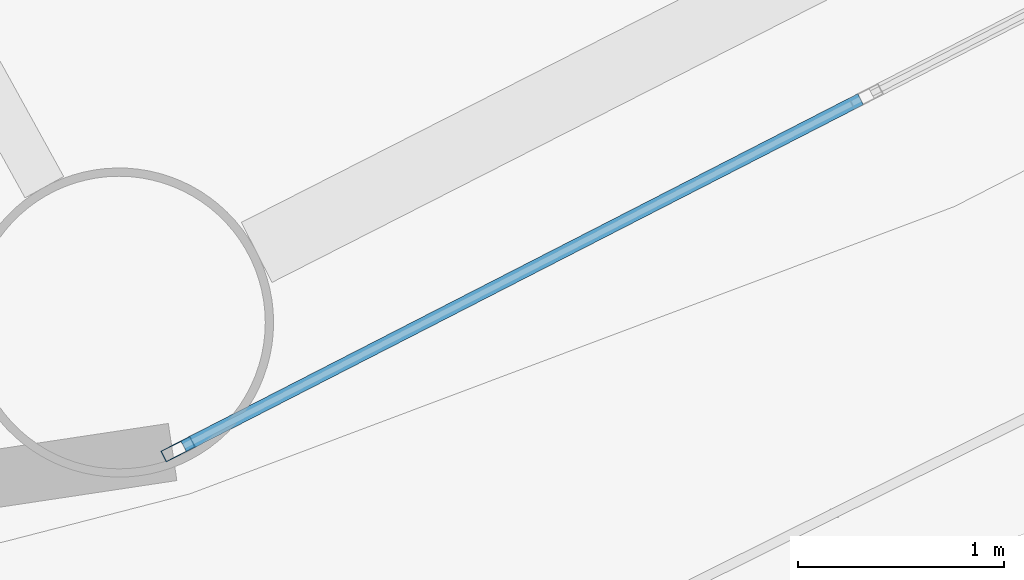
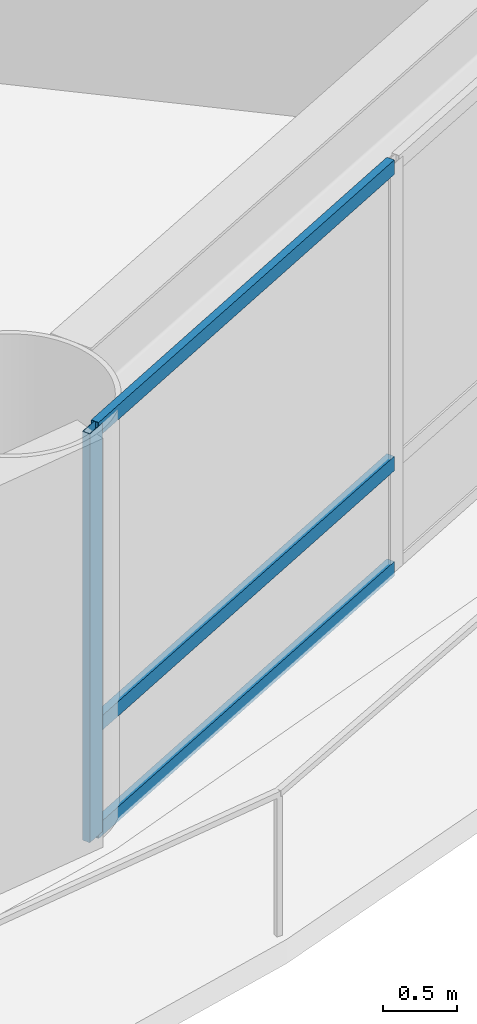
# One storey, part 6 of 26: 4 members, 1 element without a shape of its own.
"""IFC4 building model written with IfcOpenShell, lengths in metres."""

from ifc_helpers import new_model, si_unit, direction, frame, origin, origin_2d, place, context, subcontext, project, spatial, hollow_rectangle, extrude, material, layer, layer_set, material_profile, profile_set, type_object, element, aggregate, save


model = new_model("IFC4")

# Units and contexts
model_context = context("Model", 3, precision=1e-05, world=origin(), true_north=direction((0.0, 1.0)))
body_context = subcontext(model_context, "Body", "Model", "MODEL_VIEW")
ifc_project = project(units=[si_unit("LENGTHUNIT", "METRE"), si_unit("AREAUNIT", "SQUARE_METRE"), si_unit("VOLUMEUNIT", "CUBIC_METRE"), si_unit("PLANEANGLEUNIT", "RADIAN"), si_unit("MASSUNIT", "GRAM", prefix="KILO")], contexts=[model_context])

# Site, building, storey
site_placement = place(None, origin())
site = spatial("IfcSite", under=ifc_project, at=site_placement, CompositionType="ELEMENT")
building_placement = place(site_placement, origin())
building = spatial("IfcBuilding", under=site, at=building_placement, Name="Sarneth Arch Tower", CompositionType="ELEMENT")
storey_placement = place(building_placement, frame((0.0, 0.0, 71.39990234375)))
storey = spatial("IfcBuildingStorey", under=building, at=storey_placement, Name="L17", CompositionType="ELEMENT", Elevation=71.39990234375)

# Curtain wall, members
ifc_material_1 = material(Name="Anodised aluminium Type AA25 and solar-control low-e laminated IGU", Category="aluminium")
ifc_layer = layer(ifc_material_1, 0.159912109375)
ifc_layer_set = layer_set([ifc_layer], Name="Anodised aluminium Type AA25 and solar-control low-e laminated IGU")
curtain_wall_type = type_object("IfcCurtainWallType", Name="CW-HOTEL-LOW", PredefinedType="NOTDEFINED", material=ifc_layer_set)
curtain_wall_placement = place(storey_placement, origin())
curtain_wall = element("IfcCurtainWall", 1, at=curtain_wall_placement, inside=storey, type_object=curtain_wall_type, Name="L17 Unitised curtain wall facet 14", PredefinedType="NOTDEFINED")
ifc_material_2 = material(Name="Anodised Aluminium 6063-T6", Category="aluminium")
ifc_material_profile_1 = material_profile(ifc_material_2, hollow_rectangle(XDim=0.06005859375, YDim=0.159912109375, WallThickness=0.00390625, at=origin_2d()), Name="AL-MULL-160x60x4")
ifc_profile_set_1 = profile_set([ifc_material_profile_1], Name="Anodised Aluminium 6063-T6")
member_type_1 = type_object("IfcMemberType", Name="CW-MULLION", PredefinedType="MULLION", material=ifc_profile_set_1)
member_1_placement = place(storey_placement, frame((60.1044921875, 19.951416015625, 0.0), z_axis=(0.0, 0.0, 1.0), x_axis=(-0.456245197127, 0.889854100456, 0.0)))
member_1 = element("IfcMember", 2, at=member_1_placement, type_object=member_type_1, Name="CW-SYS-3 mullion 1", PredefinedType="MULLION", context=body_context, shape_type="SweptSolid", body=[
    extrude(hollow_rectangle(XDim=0.06005859375, YDim=0.159912109375, WallThickness=0.00390625, at=origin_2d()), origin(), (0.0, 0.0, 1.0), 3.380126953125),
])
ifc_material_3 = material(Name="Anodised Aluminium 6063-T6", Category="aluminium")
ifc_material_profile_2 = material_profile(ifc_material_3, hollow_rectangle(XDim=0.06005859375, YDim=0.1201171875, WallThickness=0.00390625, at=origin_2d()), Name="AL-TRAN-120x60x4")
ifc_profile_set_2 = profile_set([ifc_material_profile_2], Name="Anodised Aluminium 6063-T6")
member_type_2 = type_object("IfcMemberType", Name="CW-TRANSOM", PredefinedType="USERDEFINED", material=ifc_profile_set_2)
member_2_placement = place(storey_placement, frame((60.13134765625, 19.965087890625, 0.030029296875), z_axis=(0.889831232102, 0.456289796485, 0.0), x_axis=(-0.456289796485, 0.889831232102, 0.0)))
member_2 = element("IfcMember", 3, at=member_2_placement, type_object=member_type_2, Name="CW-SYS-3 transom 1.1", ObjectType="TRANSOM", PredefinedType="USERDEFINED", context=body_context, shape_type="SweptSolid", body=[
    extrude(hollow_rectangle(XDim=0.06005859375, YDim=0.1201171875, WallThickness=0.00390625, at=origin_2d()), origin(), (0.0, 0.0, 1.0), 3.69189453125),
])
member_3_placement = place(storey_placement, frame((60.13134765625, 19.965087890625, 0.900146484375), z_axis=(0.889831232102, 0.456289796485, 0.0), x_axis=(-0.456289796485, 0.889831232102, 0.0)))
member_3 = element("IfcMember", 4, at=member_3_placement, type_object=member_type_2, Name="CW-SYS-3 transom 1.2", ObjectType="TRANSOM", PredefinedType="USERDEFINED", context=body_context, shape_type="SweptSolid", body=[
    extrude(hollow_rectangle(XDim=0.06005859375, YDim=0.1201171875, WallThickness=0.00390625, at=origin_2d()), origin(), (0.0, 0.0, 1.0), 3.69189453125),
])
member_4_placement = place(storey_placement, frame((60.13134765625, 19.965087890625, 3.35009765625), z_axis=(0.889831232102, 0.456289796485, 0.0), x_axis=(-0.456289796485, 0.889831232102, 0.0)))
member_4 = element("IfcMember", 5, at=member_4_placement, type_object=member_type_2, Name="CW-SYS-3 transom 1.3", ObjectType="TRANSOM", PredefinedType="USERDEFINED", context=body_context, shape_type="SweptSolid", body=[
    extrude(hollow_rectangle(XDim=0.06005859375, YDim=0.1201171875, WallThickness=0.00390625, at=origin_2d()), origin(), (0.0, 0.0, 1.0), 3.69189453125),
])
aggregate(curtain_wall, [member_1, member_2, member_3, member_4])

save(model, "model.ifc")
